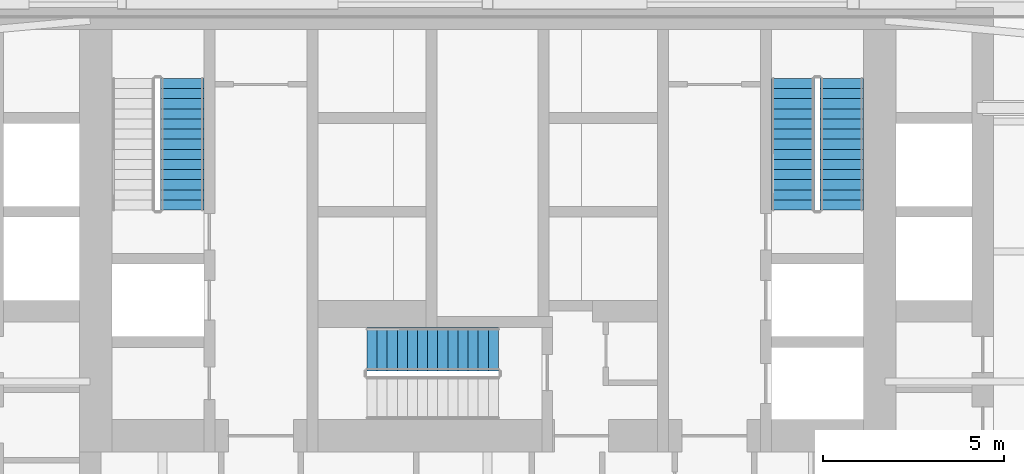
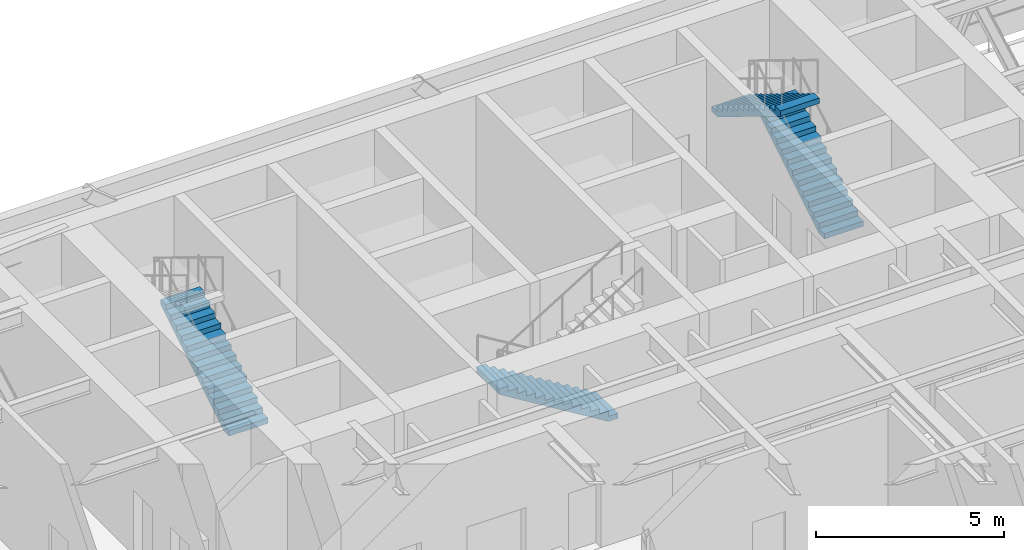
# One storey, part 6 of 12: 4 stair flights, 3 elements without a shape of their own.
"""IFC4 building model written with IfcOpenShell, lengths in metres."""

from ifc_helpers import new_model, si_unit, direction, frame, origin, place, context, subcontext, project, spatial, polyline, outline, extrude, material, type_object, element, aggregate, save


model = new_model("IFC4")

# Units and contexts
model_context = context("Model", 3, precision=1e-05, world=origin(), true_north=direction((0.0, 1.0)))
body_context = subcontext(model_context, "Body", "Model", "MODEL_VIEW")
ifc_project = project(units=[si_unit("LENGTHUNIT", "METRE"), si_unit("AREAUNIT", "SQUARE_METRE"), si_unit("VOLUMEUNIT", "CUBIC_METRE"), si_unit("PLANEANGLEUNIT", "RADIAN"), si_unit("MASSUNIT", "GRAM", prefix="KILO")], contexts=[model_context])

# Site, building, storey
site_placement = place(None, origin())
site = spatial("IfcSite", under=ifc_project, at=site_placement, CompositionType="ELEMENT")
building_placement = place(site_placement, origin())
building = spatial("IfcBuilding", under=site, at=building_placement, Name="Aloe Facet Convention Tower", CompositionType="ELEMENT")
storey_placement = place(building_placement, frame((0.0, 0.0, 123.800048828125)))
storey = spatial("IfcBuildingStorey", under=building, at=storey_placement, Name="L31", CompositionType="ELEMENT", Elevation=123.800048828125)

# Stair, stair flight
ifc_material_1 = material(Name="Concrete C50/60", Category="concrete")
stair_type = type_object("IfcStairType", Name="CR-ST-28R", PredefinedType="HALF_TURN_STAIR", material=ifc_material_1)
stair_1_placement = place(storey_placement, origin())
stair_1 = element("IfcStair", 1, at=stair_1_placement, inside=storey, type_object=stair_type, Name="L31 Protected exit stair ST1", PredefinedType="HALF_TURN_STAIR")
ifc_material_2 = material(Name="Concrete C50/60", Category="concrete")
stair_flight_type = type_object("IfcStairFlightType", Name="CR-SFL-28R", PredefinedType="STRAIGHT", material=ifc_material_2)
stair_flight_1_placement = place(storey_placement, frame((71.550048828125, 128.949951171875, 0.0), z_axis=(0.0, 0.0, 1.0), x_axis=(0.0, 1.0, 0.0)))
stair_flight_1 = element("IfcStairFlight", 2, at=stair_flight_1_placement, type_object=stair_flight_type, Name="ST1 flight 1", NumberOfRisers=14, NumberOfTreads=13, PredefinedType="STRAIGHT", RiserHeight=0.171428571, TreadLength=0.28, context=body_context, shape_type="SweptSolid", body=[
    extrude(outline(polyline([(0.0, 0.0), (0.0, 0.17138671875), (0.280029296875, 0.17138671875), (0.280029296875, 0.3427734375), (0.56005859375, 0.3427734375), (0.56005859375, 0.514404296875), (0.840087890625, 0.514404296875), (0.840087890625, 0.685791015625), (1.1201171875, 0.685791015625), (1.1201171875, 0.857177734375), (1.39990234375, 0.857177734375), (1.39990234375, 1.028564453125), (1.679931640625, 1.028564453125), (1.679931640625, 1.199951171875), (1.9599609375, 1.199951171875), (1.9599609375, 1.371337890625), (2.239990234375, 1.371337890625), (2.239990234375, 1.54296875), (2.52001953125, 1.54296875), (2.52001953125, 1.71435546875), (2.800048828125, 1.71435546875), (2.800048828125, 1.8857421875), (3.080078125, 1.8857421875), (3.080078125, 2.05712890625), (3.360107421875, 2.05712890625), (3.360107421875, 2.228515625), (3.639892578125, 2.228515625), (3.639892578125, 2.39990234375), (3.639892578125, 2.052734375), (0.287109375, 0.0), (0.0, 0.0)])), frame((0.0, 0.60009765625, 0.0), z_axis=(0.0, -1.0, 0.0), x_axis=(1.0, 0.0, 0.0)), (0.0, 0.0, 1.0), 1.199951171875),
])
aggregate(stair_1, [stair_flight_1])

# Stair, stair flights
stair_2_placement = place(storey_placement, origin())
stair_2 = element("IfcStair", 3, at=stair_2_placement, inside=storey, type_object=stair_type, Name="L31 Protected exit stair ST2", PredefinedType="HALF_TURN_STAIR")
stair_flight_2_placement = place(storey_placement, frame((89.800048828125, 128.949951171875, 0.0), z_axis=(0.0, 0.0, 1.0), x_axis=(0.0, 1.0, 0.0)))
stair_flight_2 = element("IfcStairFlight", 4, at=stair_flight_2_placement, type_object=stair_flight_type, Name="ST2 flight 1", NumberOfRisers=14, NumberOfTreads=13, PredefinedType="STRAIGHT", RiserHeight=0.171428571, TreadLength=0.28, context=body_context, shape_type="SweptSolid", body=[
    extrude(outline(polyline([(0.0, 0.0), (0.0, 0.17138671875), (0.280029296875, 0.17138671875), (0.280029296875, 0.3427734375), (0.56005859375, 0.3427734375), (0.56005859375, 0.514404296875), (0.840087890625, 0.514404296875), (0.840087890625, 0.685791015625), (1.1201171875, 0.685791015625), (1.1201171875, 0.857177734375), (1.39990234375, 0.857177734375), (1.39990234375, 1.028564453125), (1.679931640625, 1.028564453125), (1.679931640625, 1.199951171875), (1.9599609375, 1.199951171875), (1.9599609375, 1.371337890625), (2.239990234375, 1.371337890625), (2.239990234375, 1.54296875), (2.52001953125, 1.54296875), (2.52001953125, 1.71435546875), (2.800048828125, 1.71435546875), (2.800048828125, 1.8857421875), (3.080078125, 1.8857421875), (3.080078125, 2.05712890625), (3.360107421875, 2.05712890625), (3.360107421875, 2.228515625), (3.639892578125, 2.228515625), (3.639892578125, 2.39990234375), (3.639892578125, 2.052734375), (0.287109375, 0.0), (0.0, 0.0)])), frame((0.0, 0.60009765625, 0.0), z_axis=(0.0, -1.0, 0.0), x_axis=(1.0, 0.0, 0.0)), (0.0, 0.0, 1.0), 1.199951171875),
])
stair_flight_3_placement = place(storey_placement, frame((88.449951171875, 132.590087890625, 2.39990234375), z_axis=(0.0, 0.0, 1.0), x_axis=(0.0, -1.0, 0.0)))
stair_flight_3 = element("IfcStairFlight", 5, at=stair_flight_3_placement, type_object=stair_flight_type, Name="ST2 flight 2", NumberOfRisers=14, NumberOfTreads=13, PredefinedType="STRAIGHT", RiserHeight=0.171428571, TreadLength=0.28, context=body_context, shape_type="SweptSolid", body=[
    extrude(outline(polyline([(0.0, 0.0), (0.0, 0.17138671875), (0.280029296875, 0.17138671875), (0.280029296875, 0.3427734375), (0.56005859375, 0.3427734375), (0.56005859375, 0.514404296875), (0.840087890625, 0.514404296875), (0.840087890625, 0.685791015625), (1.1201171875, 0.685791015625), (1.1201171875, 0.857177734375), (1.39990234375, 0.857177734375), (1.39990234375, 1.028564453125), (1.679931640625, 1.028564453125), (1.679931640625, 1.199951171875), (1.9599609375, 1.199951171875), (1.9599609375, 1.371337890625), (2.239990234375, 1.371337890625), (2.239990234375, 1.54296875), (2.52001953125, 1.54296875), (2.52001953125, 1.71435546875), (2.800048828125, 1.71435546875), (2.800048828125, 1.8857421875), (3.080078125, 1.8857421875), (3.080078125, 2.05712890625), (3.360107421875, 2.05712890625), (3.360107421875, 2.228515625), (3.639892578125, 2.228515625), (3.639892578125, 2.39990234375), (3.639892578125, 2.052734375), (0.287109375, 0.0), (0.0, 0.0)])), frame((0.0, 0.60009765625, 0.0), z_axis=(0.0, -1.0, 0.0), x_axis=(1.0, 0.0, 0.0)), (0.0, 0.0, 1.0), 1.199951171875),
])
aggregate(stair_2, [stair_flight_2, stair_flight_3])

# Stair, stair flight
stair_3_placement = place(storey_placement, origin())
stair_3 = element("IfcStair", 6, at=stair_3_placement, inside=storey, type_object=stair_type, Name="L31 Protected exit stair ST3", PredefinedType="HALF_TURN_STAIR")
stair_flight_4_placement = place(storey_placement, frame((80.300048828125, 125.10009765625, 0.0), z_axis=(0.0, 0.0, 1.0), x_axis=(-1.0, 0.0, 0.0)))
stair_flight_4 = element("IfcStairFlight", 7, at=stair_flight_4_placement, type_object=stair_flight_type, Name="ST3 flight 1", NumberOfRisers=14, NumberOfTreads=13, PredefinedType="STRAIGHT", RiserHeight=0.171428571, TreadLength=0.28, context=body_context, shape_type="SweptSolid", body=[
    extrude(outline(polyline([(0.0, 0.0), (0.0, 0.17138671875), (0.280029296875, 0.17138671875), (0.280029296875, 0.3427734375), (0.56005859375, 0.3427734375), (0.56005859375, 0.514404296875), (0.840087890625, 0.514404296875), (0.840087890625, 0.685791015625), (1.1201171875, 0.685791015625), (1.1201171875, 0.857177734375), (1.39990234375, 0.857177734375), (1.39990234375, 1.028564453125), (1.679931640625, 1.028564453125), (1.679931640625, 1.199951171875), (1.9599609375, 1.199951171875), (1.9599609375, 1.371337890625), (2.239990234375, 1.371337890625), (2.239990234375, 1.54296875), (2.52001953125, 1.54296875), (2.52001953125, 1.71435546875), (2.800048828125, 1.71435546875), (2.800048828125, 1.8857421875), (3.080078125, 1.8857421875), (3.080078125, 2.05712890625), (3.360107421875, 2.05712890625), (3.360107421875, 2.228515625), (3.639892578125, 2.228515625), (3.639892578125, 2.39990234375), (3.639892578125, 2.052734375), (0.287109375, 0.0), (0.0, 0.0)])), frame((0.0, 0.60009765625, 0.0), z_axis=(0.0, -1.0, 0.0), x_axis=(1.0, 0.0, 0.0)), (0.0, 0.0, 1.0), 1.199951171875),
])
aggregate(stair_3, [stair_flight_4])

save(model, "model.ifc")
